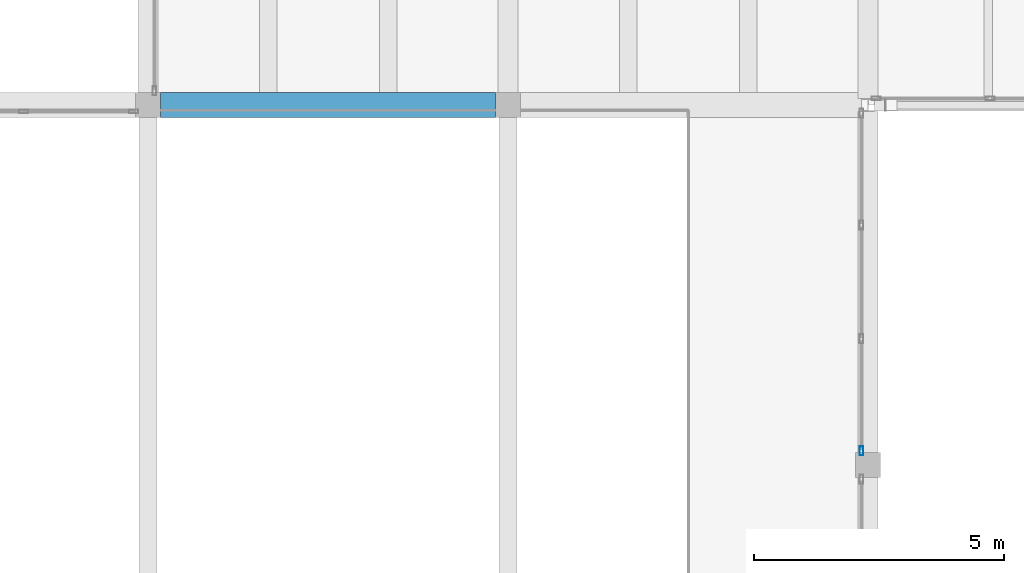
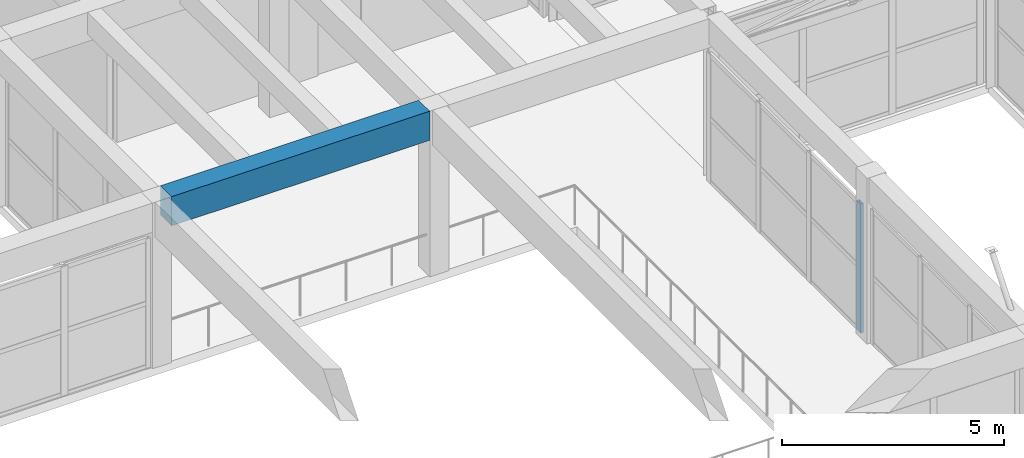
# One storey, part 38 of 153: 1 beam, 1 member, 1 element without a shape of its own.
"""IFC4 building model written with IfcOpenShell, lengths in metres."""

from ifc_helpers import new_model, si_unit, direction, frame, origin, origin_2d, place, context, subcontext, project, spatial, rectangle, hollow_rectangle, extrude, material, material_profile, profile_set, type_object, element, aggregate, save


model = new_model("IFC4")

# Units and contexts
model_context = context("Model", 3, precision=1e-05, world=origin(), true_north=direction((0.0, 1.0)))
body_context = subcontext(model_context, "Body", "Model", "MODEL_VIEW")
ifc_project = project(units=[si_unit("LENGTHUNIT", "METRE"), si_unit("AREAUNIT", "SQUARE_METRE"), si_unit("VOLUMEUNIT", "CUBIC_METRE"), si_unit("PLANEANGLEUNIT", "RADIAN"), si_unit("MASSUNIT", "GRAM", prefix="KILO")], contexts=[model_context])

# Site, building, storey
site_placement = place(None, origin())
site = spatial("IfcSite", under=ifc_project, at=site_placement, CompositionType="ELEMENT")
building_placement = place(site_placement, origin())
building = spatial("IfcBuilding", under=site, at=building_placement, Name="Bramvelor Terrace Health Centre", CompositionType="ELEMENT")
storey_placement = place(building_placement, frame((0.0, 0.0, 4.800048828125)))
storey = spatial("IfcBuildingStorey", under=building, at=storey_placement, Name="L02", CompositionType="ELEMENT", Elevation=4.800048828125)

# Beam
ifc_material_1 = material(Name="Concrete C40/50", Category="concrete")
ifc_material_profile_1 = material_profile(ifc_material_1, rectangle(XDim=0.5, YDim=0.800048828125, at=origin_2d()), Name="RC 500x800")
ifc_profile_set_1 = profile_set([ifc_material_profile_1], Name="Concrete C40/50")
beam_type = type_object("IfcBeamType", Name="BM-RC-G800", PredefinedType="BEAM", material=ifc_profile_set_1)
beam_placement = place(storey_placement, frame((79.449951171875, 50.39990234375, 4.14990234375), z_axis=(1.0, 0.0, 0.0), x_axis=(0.0, 1.0, 0.0)))
element("IfcBeam", 1, at=beam_placement, inside=storey, type_object=beam_type, Name="L02 Floor Girder", PredefinedType="BEAM", context=body_context, shape_type="SweptSolid", body=[
    extrude(rectangle(XDim=0.5, YDim=0.800048828125, at=origin_2d()), origin(), (0.0, 0.0, 1.0), 6.699951171875),
])

# Curtain wall, member
ifc_material_2 = material(Name="Anodized aluminium and double low-E glass", Category="aluminium")
curtain_wall_type = type_object("IfcCurtainWallType", Name="CW-SYS-01", PredefinedType="NOTDEFINED", material=ifc_material_2)
curtain_wall_placement = place(storey_placement, origin())
curtain_wall = element("IfcCurtainWall", 2, at=curtain_wall_placement, inside=storey, type_object=curtain_wall_type, Name="L02 Unitized Curtain Wall 115", PredefinedType="NOTDEFINED")
ifc_material_3 = material(Name="Anodized aluminium 6063-T6", Category="aluminium")
ifc_material_profile_2 = material_profile(ifc_material_3, hollow_rectangle(XDim=0.074951171875, YDim=0.179931640625, WallThickness=0.00341796875, at=origin_2d()), Name="ALU-MUL 75x180x3.5")
ifc_profile_set_2 = profile_set([ifc_material_profile_2], Name="Anodized aluminium 6063-T6")
member_type = type_object("IfcMemberType", Name="CW-MUL-65x180", PredefinedType="MULLION", material=ifc_profile_set_2)
member_placement = place(storey_placement, frame((93.469970703125, 43.482421875, 0.0), z_axis=(0.0, 0.0, 1.0), x_axis=(1.0, 0.0, 0.0)))
member = element("IfcMember", 3, at=member_placement, type_object=member_type, Name="CW-01 mullion 4", PredefinedType="MULLION", context=body_context, shape_type="SweptSolid", body=[
    extrude(hollow_rectangle(XDim=0.074951171875, YDim=0.179931640625, WallThickness=0.00341796875, at=origin_2d()), origin(), (0.0, 0.0, 1.0), 3.5478515625),
])
aggregate(curtain_wall, [member])

save(model, "model.ifc")
